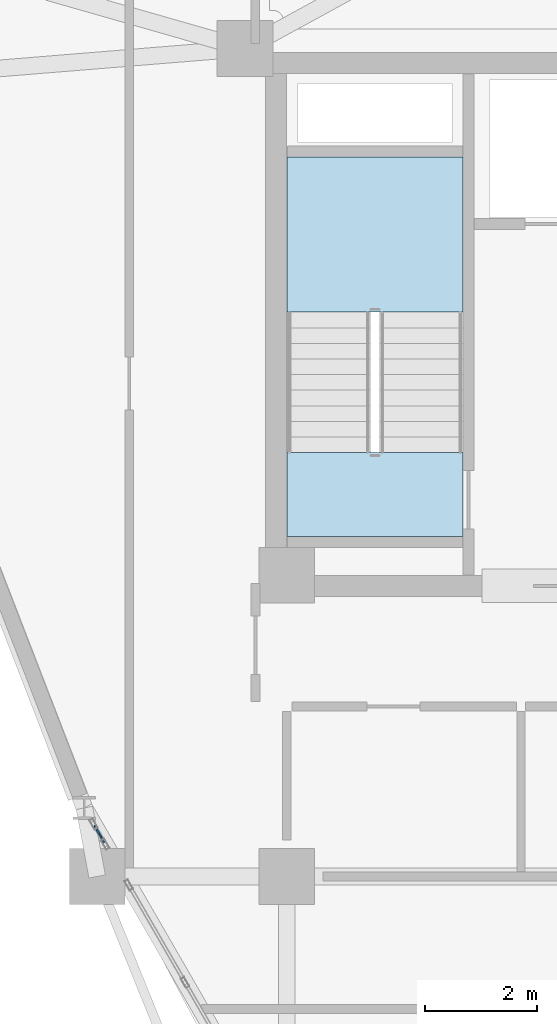
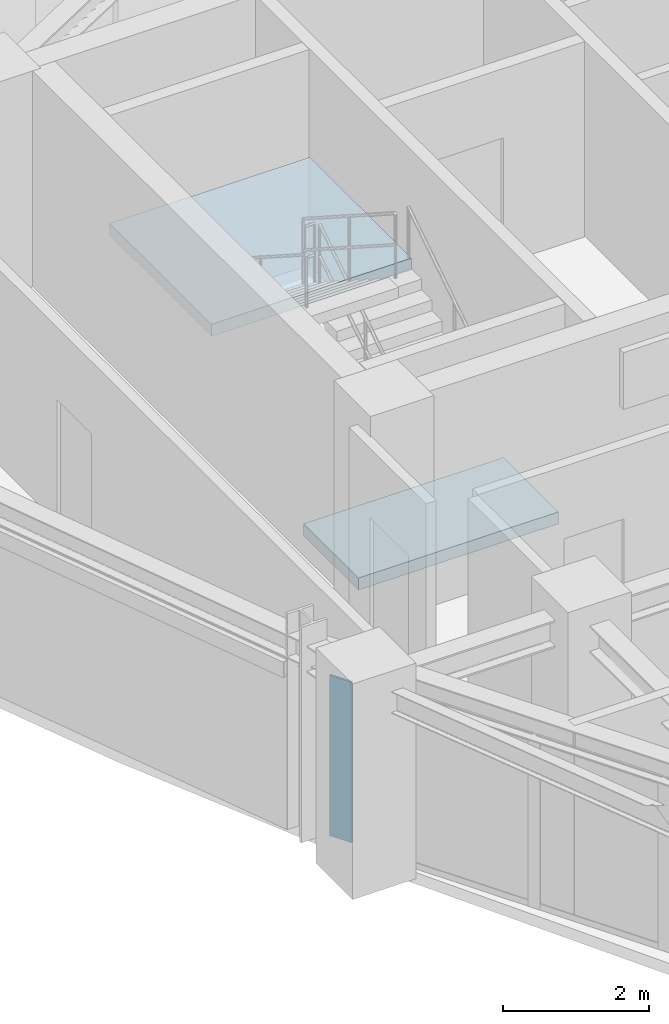
# One storey, part 11 of 16: 2 slabs, 1 plate, 2 elements without a shape of their own.
"""IFC4 building model written with IfcOpenShell, lengths in metres."""

from ifc_helpers import new_model, si_unit, derived_unit, direction, frame, origin, origin_2d, place, context, subcontext, project, spatial, polyline, rectangle, outline, extrude, source, transform, mapped, material, layer, layer_set, type_object, element, aggregate, save


model = new_model("IFC4")

# Units and contexts
model_context = context("Model", 3, precision=1e-05, world=origin(), true_north=direction((0.0, 1.0)))
body_context = subcontext(model_context, "Body", "Model", "MODEL_VIEW")
ifc_project = project(units=[si_unit("LENGTHUNIT", "METRE"), si_unit("AREAUNIT", "SQUARE_METRE"), si_unit("VOLUMEUNIT", "CUBIC_METRE"), si_unit("PLANEANGLEUNIT", "RADIAN"), si_unit("MASSUNIT", "GRAM", prefix="KILO"), derived_unit("THERMALTRANSMITTANCEUNIT", [(si_unit("POWERUNIT", "WATT"), 1), (si_unit("LENGTHUNIT", "METRE"), -2), (si_unit("THERMODYNAMICTEMPERATUREUNIT", "KELVIN"), -1)])], contexts=[model_context])

# Site, building, storey
site_placement = place(None, origin())
site = spatial("IfcSite", under=ifc_project, at=site_placement, CompositionType="ELEMENT")
building_placement = place(site_placement, origin())
building = spatial("IfcBuilding", under=site, at=building_placement, Name="Korsvarv Bourse and Concert Hall", CompositionType="ELEMENT")
storey_placement = place(building_placement, frame((0.0, 0.0, 234.60009765625)))
storey = spatial("IfcBuildingStorey", under=building, at=storey_placement, Name="L61", CompositionType="ELEMENT", Elevation=234.60009765625)

# Slab
ifc_material_1 = material(Name="Precast concrete C45/55", Category="concrete")
ifc_layer_1 = layer(ifc_material_1, 0.199951171875)
ifc_layer_set_1 = layer_set([ifc_layer_1], Name="Precast concrete C45/55")
slab_type_1 = type_object("IfcSlabType", Name="SLB-FLND-T", PredefinedType="LANDING", material=ifc_layer_set_1)
slab_1_placement = place(storey_placement, frame((0.0, 0.0, -0.2001953125)))
element("IfcSlab", 1, at=slab_1_placement, inside=storey, type_object=slab_type_1, Name="L61 Stair ST-T1 Floor Landing Slab", PredefinedType="LANDING", context=body_context, shape_type="SweptSolid", body=[
    extrude(outline(polyline([(30.760009765625, 38.5), (30.760009765625, 40.0), (27.60009765625, 40.0), (27.60009765625, 38.5), (30.760009765625, 38.5)])), origin(), (0.0, 0.0, 1.0), 0.2001953125),
])

# Stair, slab
stair_type = type_object("IfcStairType", Name="STR-TYPE-04", PredefinedType="HALF_TURN_STAIR", material=ifc_material_1)
stair_placement = place(storey_placement, origin())
stair = element("IfcStair", 2, at=stair_placement, inside=storey, type_object=stair_type, Name="L61 Tower West Exit Stair ST-T1", PredefinedType="HALF_TURN_STAIR")
ifc_layer_2 = layer(ifc_material_1, 0.199951171875)
ifc_layer_set_2 = layer_set([ifc_layer_2], Name="Precast concrete C45/55")
slab_type_2 = type_object("IfcSlabType", Name="SLB-ST-LND", PredefinedType="LANDING", material=ifc_layer_set_2)
slab_2_placement = place(storey_placement, frame((0.0, 0.0, 1.599853515625)))
slab_2 = element("IfcSlab", 3, at=slab_2_placement, type_object=slab_type_2, Name="ST-T1 landing 1", PredefinedType="LANDING", context=body_context, shape_type="SweptSolid", body=[
    extrude(outline(polyline([(30.760009765625, 42.52001953125), (30.760009765625, 45.300048828125), (27.60009765625, 45.300048828125), (27.60009765625, 42.52001953125), (30.760009765625, 42.52001953125)])), origin(), (0.0, 0.0, 1.0), 0.199951171875),
])
aggregate(stair, [slab_2])

# Curtain wall, plate
ifc_material_2 = material(Name="Anodised aluminium and triple low-E glazing", Category="glass")
ifc_layer_3 = layer(ifc_material_2, 0.199951171875)
ifc_layer_set_3 = layer_set([ifc_layer_3], Name="Anodised aluminium and triple low-E glazing")
curtain_wall_type = type_object("IfcCurtainWallType", Name="CW-SYS-3", PredefinedType="NOTDEFINED", material=ifc_layer_set_3)
curtain_wall_placement = place(storey_placement, origin())
curtain_wall = element("IfcCurtainWall", 4, at=curtain_wall_placement, inside=storey, type_object=curtain_wall_type, Name="L61 CW3 curtain wall CW-L61-F07-1", PredefinedType="NOTDEFINED")
ifc_material_3 = material(Name="Insulated spandrel glass", Category="glass")
ifc_layer_4 = layer(ifc_material_3, 0.031982421875)
ifc_layer_set_4 = layer_set([ifc_layer_4], Name="Insulated spandrel glass")
plate_type = type_object("IfcPlateType", Name="CWP-SPD1", PredefinedType="CURTAIN_PANEL", material=ifc_layer_set_4)
shared_shape = source(origin(), body_context, "Body", "SweptSolid", [
    extrude(rectangle(XDim=0.34619140625, YDim=0.031982421875, at=origin_2d()), origin(), (0.0, 0.0, 1.0), 2.679931640625),
])
plate_placement = place(storey_placement, frame((24.240478515625, 33.16064453125, 0.06494140625), z_axis=(0.0, 0.0, 1.0), x_axis=(0.499965759325, -0.866045171745, 0.0)))
plate = element("IfcPlate", 5, at=plate_placement, type_object=plate_type, Name="CW3 spandrel shadow-box panel 1.1", PredefinedType="CURTAIN_PANEL", context=body_context, shape_type="MappedRepresentation", body=[
    mapped(shared_shape, transform((0.0, 0.0, 0.0), scale=1.0)),
])
aggregate(curtain_wall, [plate])

save(model, "model.ifc")
